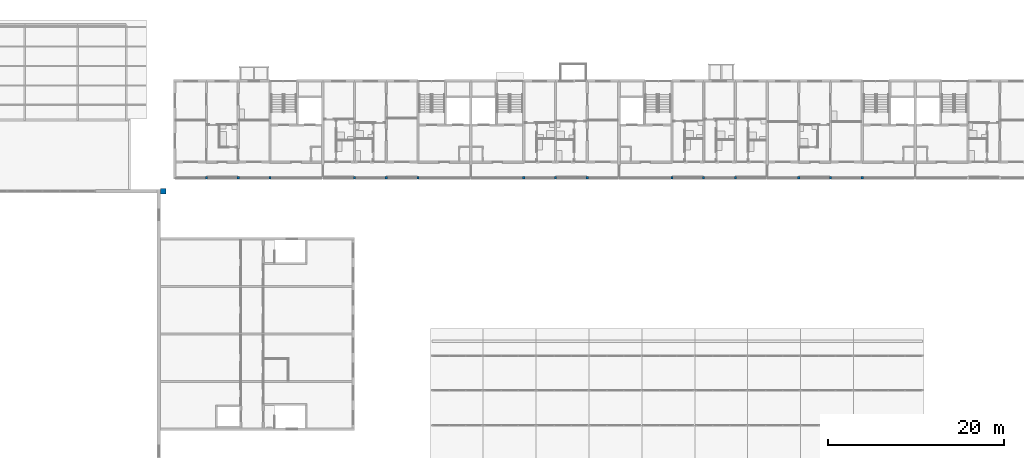
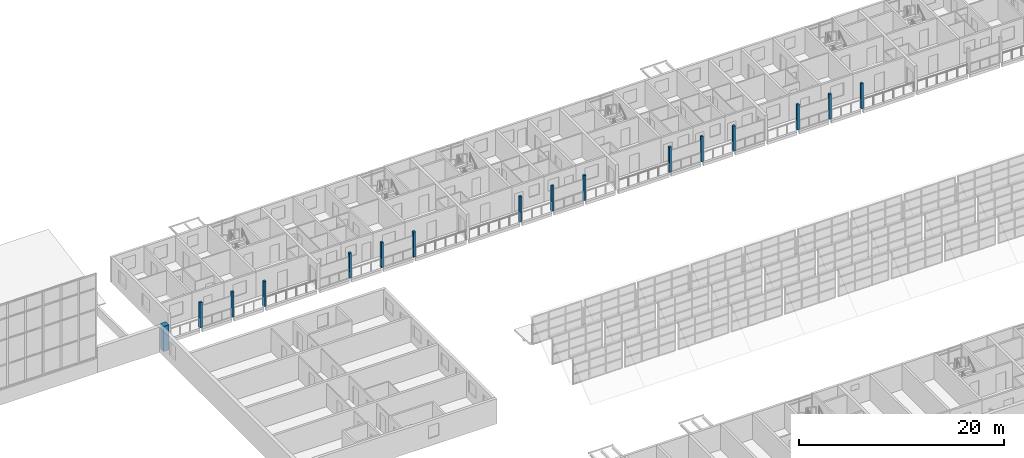
# One storey, part 8 of 122: 16 columns.
"""IFC4 building model written with IfcOpenShell, lengths in metres."""

from ifc_helpers import new_model, si_unit, direction, frame, origin, origin_2d, place, context, subcontext, project, spatial, rectangle, extrude, material, material_profile, profile_set, type_object, element, save


model = new_model("IFC4")

# Units and contexts
model_context = context("Model", 3, precision=1e-05, world=origin(), true_north=direction((0.0, 1.0)))
body_context = subcontext(model_context, "Body", "Model", "MODEL_VIEW")
ifc_project = project(units=[si_unit("LENGTHUNIT", "METRE"), si_unit("AREAUNIT", "SQUARE_METRE"), si_unit("VOLUMEUNIT", "CUBIC_METRE"), si_unit("PLANEANGLEUNIT", "RADIAN"), si_unit("MASSUNIT", "GRAM", prefix="KILO")], contexts=[model_context])

# Site, building, storey
site_placement = place(None, origin())
site = spatial("IfcSite", under=ifc_project, at=site_placement, CompositionType="ELEMENT")
building_placement = place(site_placement, origin())
building = spatial("IfcBuilding", under=site, at=building_placement, Name="Ridgestep Commons", CompositionType="ELEMENT")
storey_placement = place(building_placement, frame((0.0, 0.0, 3.0)))
storey = spatial("IfcBuildingStorey", under=building, at=storey_placement, Name="L01", CompositionType="ELEMENT", Elevation=3.0)

# Columns
ifc_material_1 = material(Name="Precast concrete C40/50", Category="concrete")
ifc_material_profile_1 = material_profile(ifc_material_1, rectangle(XDim=0.60009765625, YDim=0.60009765625, at=origin_2d()), Name="Buttress pier 600 x 600")
ifc_profile_set_1 = profile_set([ifc_material_profile_1], Name="Precast concrete C40/50")
column_type_1 = type_object("IfcColumnType", Name="Buttress pier 600 x 600", PredefinedType="COLUMN", material=ifc_profile_set_1)
column_placement = place(storey_placement, frame((145.5, 64.60009765625, 0.0), z_axis=(0.0, 0.0, 1.0), x_axis=(1.0, 0.0, 0.0)))
element("IfcColumn", 1, at=column_placement, inside=storey, type_object=column_type_1, Name="Hall vault buttress pier", PredefinedType="COLUMN", context=body_context, shape_type="SweptSolid", body=[
    extrude(rectangle(XDim=0.60009765625, YDim=0.60009765625, at=origin_2d()), origin(), (0.0, 0.0, 1.0), 3.0),
])
ifc_material_2 = material(Name="Precast concrete C40/50", Category="concrete")
ifc_material_profile_2 = material_profile(ifc_material_2, rectangle(XDim=0.25, YDim=0.25, at=origin_2d()), Name="PC 250x250")
ifc_profile_set_2 = profile_set([ifc_material_profile_2], Name="Precast concrete C40/50")
column_type_2 = type_object("IfcColumnType", Name="Loggia column 250 x 250", PredefinedType="COLUMN", material=ifc_profile_set_2)
for number, where, z_axis, x_axis, name in (
    (2, (150.39990234375, 66.125, 0.0), (0.0, 0.0, 1.0), (1.0, 0.0, 0.0), "Loggia column C L01"),
    (3, (154.0, 66.125, 0.0), (0.0, 0.0, 1.0), (1.0, 0.0, 0.0), "Loggia column C L01"),
    (4, (157.60009765625, 66.125, 0.0), (0.0, 0.0, 1.0), (1.0, 0.0, 0.0), "Loggia column C L01"),
    (5, (167.199951171875, 66.125, 0.0), (0.0, 0.0, 1.0), (1.0, 0.0, 0.0), "Loggia column C L01"),
    (6, (170.800048828125, 66.125, 0.0), (0.0, 0.0, 1.0), (1.0, 0.0, 0.0), "Loggia column C L01"),
    (7, (174.39990234375, 66.125, 0.0), (0.0, 0.0, 1.0), (1.0, 0.0, 0.0), "Loggia column C L01"),
    (8, (186.39990234375, 66.125, 0.0), (0.0, 0.0, 1.0), (1.0, 0.0, 0.0), "Loggia column C L01"),
    (9, (190.0, 66.125, 0.0), (0.0, 0.0, 1.0), (1.0, 0.0, 0.0), "Loggia column C L01"),
    (10, (193.60009765625, 66.125, 0.0), (0.0, 0.0, 1.0), (1.0, 0.0, 0.0), "Loggia column C L01"),
    (11, (203.199951171875, 66.125, 0.0), (0.0, 0.0, 1.0), (1.0, 0.0, 0.0), "Loggia column C L01"),
    (12, (206.800048828125, 66.125, 0.0), (0.0, 0.0, 1.0), (1.0, 0.0, 0.0), "Loggia column C L01"),
    (13, (210.39990234375, 66.125, 0.0), (0.0, 0.0, 1.0), (1.0, 0.0, 0.0), "Loggia column C L01"),
    (14, (217.60009765625, 66.125, 0.0), (0.0, 0.0, 1.0), (1.0, 0.0, 0.0), "Loggia column C L01"),
    (15, (221.199951171875, 66.125, 0.0), (0.0, 0.0, 1.0), (1.0, 0.0, 0.0), "Loggia column C L01"),
    (16, (224.800048828125, 66.125, 0.0), (0.0, 0.0, 1.0), (1.0, 0.0, 0.0), "Loggia column C L01"),
):
    element("IfcColumn", number, at=place(storey_placement, frame(where, z_axis=z_axis, x_axis=x_axis)), inside=storey, type_object=column_type_2, Name=name, PredefinedType="COLUMN", context=body_context, shape_type="SweptSolid", body=[
        extrude(rectangle(XDim=0.25, YDim=0.25, at=origin_2d()), origin(), (0.0, 0.0, 1.0), 3.0),
    ])

save(model, "model.ifc")
